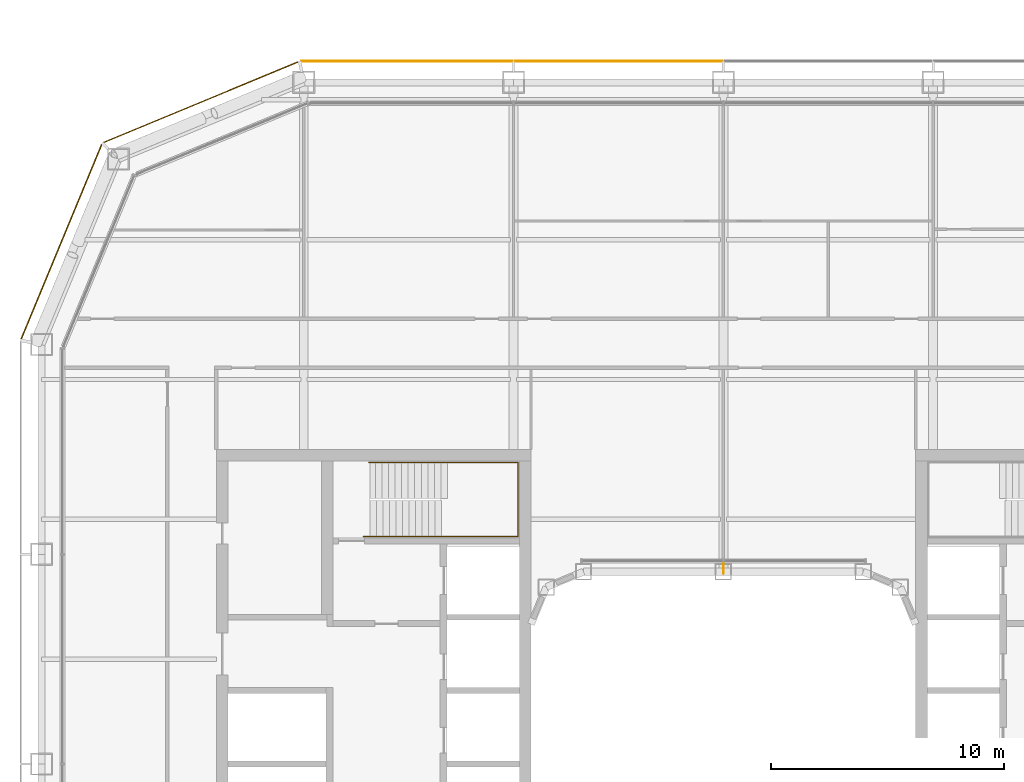
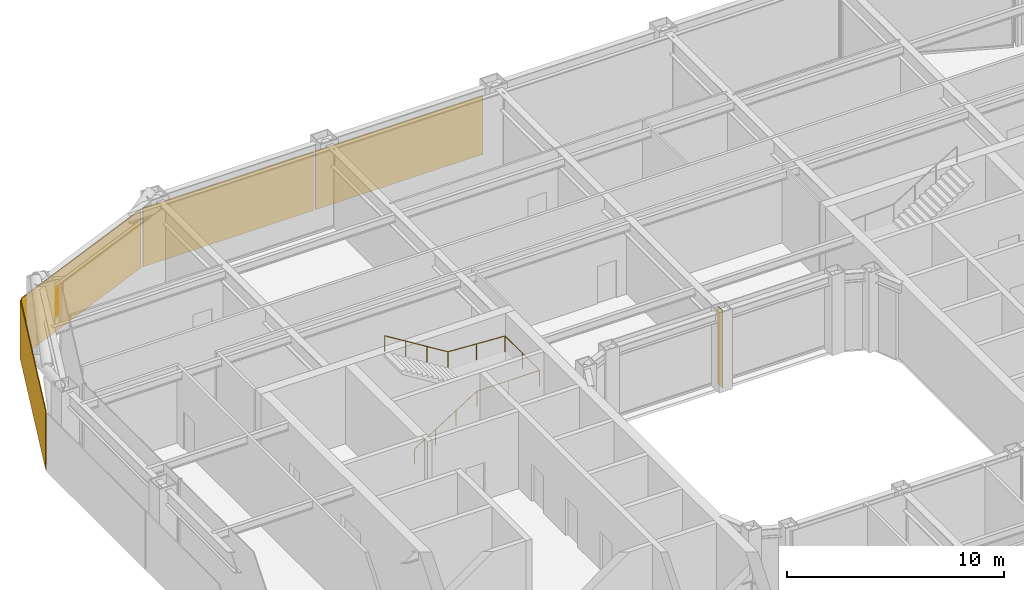
# One storey, part 22 of 24: 4 coverings, 1 railing, 1 shading device.
"""IFC4 building model written with IfcOpenShell, lengths in metres."""

from ifc_helpers import new_model, si_unit, direction, frame, origin, origin_2d, place, context, subcontext, project, spatial, rectangle, circle, extrude, material, layer, layer_set, type_object, element, save


model = new_model("IFC4")

# Units and contexts
model_context = context("Model", 3, precision=1e-05, world=origin(), true_north=direction((0.0, 1.0)))
body_context = subcontext(model_context, "Body", "Model", "MODEL_VIEW")
ifc_project = project(units=[si_unit("LENGTHUNIT", "METRE"), si_unit("AREAUNIT", "SQUARE_METRE"), si_unit("VOLUMEUNIT", "CUBIC_METRE"), si_unit("PLANEANGLEUNIT", "RADIAN"), si_unit("MASSUNIT", "GRAM", prefix="KILO")], contexts=[model_context])

# Site, building, storey
site_placement = place(None, origin())
site = spatial("IfcSite", under=ifc_project, at=site_placement, CompositionType="ELEMENT")
building_placement = place(site_placement, origin())
building = spatial("IfcBuilding", under=site, at=building_placement, Name="Siwar Civic Tower", CompositionType="ELEMENT")
storey_placement = place(building_placement, frame((0.0, 0.0, 113.699951171875)))
storey = spatial("IfcBuildingStorey", under=building, at=storey_placement, Name="L24", CompositionType="ELEMENT", Elevation=113.699951171875)

# Railing
ifc_material_1 = material(Name="Stainless steel", Category="steel")
railing_type = type_object("IfcRailingType", Name="CORE-STAIR-HANDRAIL", PredefinedType="HANDRAIL", material=ifc_material_1)
railing_placement = place(storey_placement, frame((-15.449951171875, 9.758056640625, 0.173095703125)))
element("IfcRailing", 1, at=railing_placement, inside=storey, type_object=railing_type, Name="Stair handrail ST1", PredefinedType="HANDRAIL", context=body_context, shape_type="SweptSolid", body=[
    extrude(circle(Radius=0.02001953125, at=origin_2d()), frame((0.0, 0.0, 0.8798828125), z_axis=(0.847063342986, 0.0, 0.531491950051), x_axis=(0.0, 1.0, 0.0)), (0.0, 0.0, 1.0), 3.90771484375),
    extrude(circle(Radius=0.02001953125, at=origin_2d()), frame((3.31005859375, 0.0, 2.956787109375), z_axis=(1.0, 0.0, 0.0), x_axis=(0.0, 1.0, 0.0)), (0.0, 0.0, 1.0), 3.331787109375),
    extrude(circle(Radius=0.02001953125, at=origin_2d()), frame((6.641845703125, 0.0, 2.956787109375), z_axis=(0.0, 1.0, 0.0), x_axis=(-1.0, 0.0, 0.0)), (0.0, 0.0, 1.0), 3.183837890625),
    extrude(circle(Radius=0.02001953125, at=origin_2d()), frame((6.641845703125, 3.183837890625, 2.956787109375), z_axis=(-0.99837434197, 0.0, 0.056997134106), x_axis=(0.0, -1.0, 0.0)), (0.0, 0.0, 1.0), 3.036865234375),
    extrude(circle(Radius=0.02001953125, at=origin_2d()), frame((3.60986328125, 3.183837890625, 3.1298828125), z_axis=(-0.850606129759, 0.0, 0.525803396734), x_axis=(0.0, -1.0, 0.0)), (0.0, 0.0, 1.0), 3.949951171875),
    extrude(circle(Radius=0.02001953125, at=origin_2d()), origin(), (0.0, 0.0, 1.0), 0.85986328125),
    extrude(circle(Radius=0.02001953125, at=origin_2d()), frame((1.103271484375, 0.0, 0.6923828125)), (0.0, 0.0, 1.0), 0.85986328125),
    extrude(circle(Radius=0.02001953125, at=origin_2d()), frame((2.206787109375, 0.0, 1.384521484375)), (0.0, 0.0, 1.0), 0.85986328125),
    extrude(circle(Radius=0.02001953125, at=origin_2d()), frame((3.31005859375, 0.0, 2.076904296875)), (0.0, 0.0, 1.0), 0.85986328125),
    extrude(circle(Radius=0.02001953125, at=origin_2d()), frame((4.97607421875, 0.0, 2.076904296875)), (0.0, 0.0, 1.0), 0.85986328125),
    extrude(circle(Radius=0.02001953125, at=origin_2d()), frame((6.641845703125, 0.0, 2.076904296875)), (0.0, 0.0, 1.0), 0.85986328125),
    extrude(circle(Radius=0.02001953125, at=origin_2d()), frame((6.641845703125, 1.591796875, 2.076904296875)), (0.0, 0.0, 1.0), 0.85986328125),
    extrude(circle(Radius=0.02001953125, at=origin_2d()), frame((6.641845703125, 3.183837890625, 2.076904296875)), (0.0, 0.0, 1.0), 0.85986328125),
    extrude(circle(Radius=0.02001953125, at=origin_2d()), frame((5.1259765625, 3.183837890625, 2.16357421875)), (0.0, 0.0, 1.0), 0.85986328125),
    extrude(circle(Radius=0.02001953125, at=origin_2d()), frame((3.60986328125, 3.183837890625, 2.25)), (0.0, 0.0, 1.0), 0.85986328125),
    extrude(circle(Radius=0.02001953125, at=origin_2d()), frame((2.489990234375, 3.183837890625, 2.9423828125)), (0.0, 0.0, 1.0), 0.85986328125),
    extrude(circle(Radius=0.02001953125, at=origin_2d()), frame((1.369873046875, 3.183837890625, 3.634521484375)), (0.0, 0.0, 1.0), 0.85986328125),
    extrude(circle(Radius=0.02001953125, at=origin_2d()), frame((0.25, 3.183837890625, 4.326904296875)), (0.0, 0.0, 1.0), 0.85986328125),
])

# Shading device
ifc_material_2 = material(Name="Aluminium 6063-T6", Category="aluminium")
ifc_layer_1 = layer(ifc_material_2, 0.02001953125)
ifc_layer_set_1 = layer_set([ifc_layer_1], Name="Aluminium 6063-T6")
shading_device_type = type_object("IfcShadingDeviceType", Name="ENV-FIN", PredefinedType="JALOUSIE", material=ifc_layer_set_1)
shading_device_placement = place(storey_placement, frame((0.0, 8.39501953125, 0.0), z_axis=(0.0, 0.0, 1.0), x_axis=(-1.0, 0.0, 0.0)))
element("IfcShadingDevice", 2, at=shading_device_placement, inside=storey, type_object=shading_device_type, Name="SUNSHADE fin WN 1", PredefinedType="JALOUSIE", context=body_context, shape_type="SweptSolid", body=[
    extrude(rectangle(XDim=0.02001953125, YDim=0.449951171875, at=origin_2d()), origin(), (0.0, 0.0, 1.0), 4.35009765625),
])

# Coverings
ifc_material_3 = material(Name="Perforated aluminium cassette, pale metal", Category="aluminium")
ifc_layer_2 = layer(ifc_material_3, 0.0400390625)
ifc_layer_set_2 = layer_set([ifc_layer_2], Name="Perforated aluminium cassette, pale metal")
covering_type_1 = type_object("IfcCoveringType", Name="ENV-OUTER SKIN OS-1", PredefinedType="CLADDING", material=ifc_layer_set_2)
covering_1_placement = place(storey_placement, frame((-4.5, 30.14990234375, -0.14990234375), z_axis=(0.0, 0.0, 1.0), x_axis=(-1.0, 0.0, 0.0)))
element("IfcCovering", 3, at=covering_1_placement, inside=storey, type_object=covering_type_1, Name="OUTER SKIN OS-1 N 3", PredefinedType="CLADDING", context=body_context, shape_type="SweptSolid", body=[
    extrude(rectangle(XDim=8.89990234375, YDim=0.0400390625, at=origin_2d()), origin(), (0.0, 0.0, 1.0), 3.300048828125),
])
covering_2_placement = place(storey_placement, frame((-13.57958984375, 30.14990234375, -0.14990234375), z_axis=(0.0, 0.0, 1.0), x_axis=(-1.0, 0.0, 0.0)))
element("IfcCovering", 4, at=covering_2_placement, inside=storey, type_object=covering_type_1, Name="OUTER SKIN OS-1 N 4", PredefinedType="CLADDING", context=body_context, shape_type="SweptSolid", body=[
    extrude(rectangle(XDim=9.05908203125, YDim=0.0400390625, at=origin_2d()), origin(), (0.0, 0.0, 1.0), 3.300048828125),
])
covering_3_placement = place(storey_placement, frame((-22.411376953125, 28.39697265625, -0.14990234375), z_axis=(0.0, 0.0, 1.0), x_axis=(-0.923879532511, -0.382683432365, 0.0)))
element("IfcCovering", 5, at=covering_3_placement, inside=storey, type_object=covering_type_1, Name="OUTER SKIN OS-1 NW1 1", PredefinedType="CLADDING", context=body_context, shape_type="SweptSolid", body=[
    extrude(rectangle(XDim=9.022216796875, YDim=0.0400390625, at=origin_2d()), origin(), (0.0, 0.0, 1.0), 3.300048828125),
])
ifc_material_4 = material(Name="Perforated aluminium cassette, pale metal", Category="aluminium")
ifc_layer_3 = layer(ifc_material_4, 0.044921875)
ifc_layer_set_3 = layer_set([ifc_layer_3], Name="Perforated aluminium cassette, pale metal")
covering_type_2 = type_object("IfcCoveringType", Name="ENV-OUTER SKIN OS-2", PredefinedType="CLADDING", material=ifc_layer_set_3)
covering_4_placement = place(storey_placement, frame((-28.39697265625, 22.411376953125, -0.14990234375), z_axis=(0.0, 0.0, 1.0), x_axis=(-0.382683432365, -0.923879532511, 0.0)))
element("IfcCovering", 6, at=covering_4_placement, inside=storey, type_object=covering_type_2, Name="OUTER SKIN OS-2 NW2 1", PredefinedType="CLADDING", context=body_context, shape_type="SweptSolid", body=[
    extrude(rectangle(XDim=9.022216796875, YDim=0.044921875, at=origin_2d()), origin(), (0.0, 0.0, 1.0), 3.300048828125),
])

save(model, "model.ifc")
